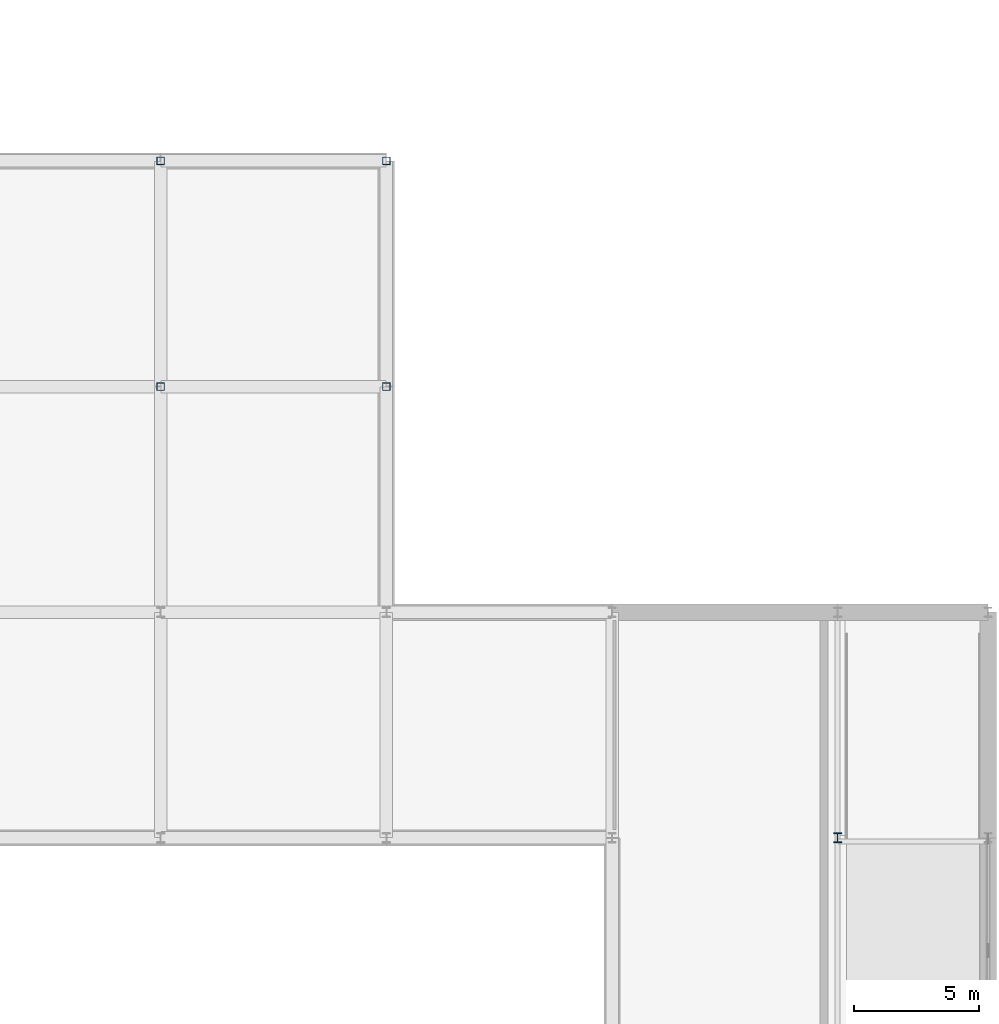
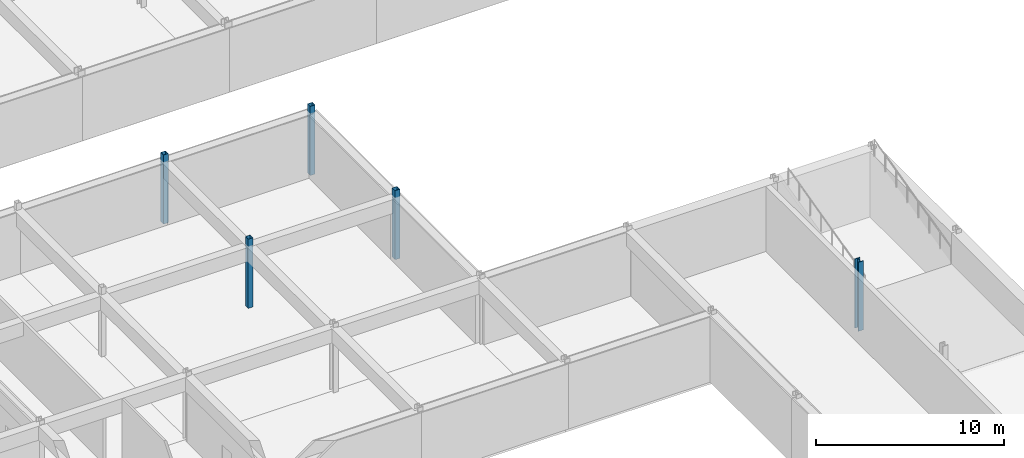
# One storey, part 12 of 35: 5 columns.
"""IFC4 building model written with IfcOpenShell, lengths in metres."""

from ifc_helpers import new_model, si_unit, direction, frame, origin, origin_2d, place, context, subcontext, project, spatial, hollow_rectangle, i_section, extrude, material, material_profile, profile_set, type_object, element, save


model = new_model("IFC4")

# Units and contexts
model_context = context("Model", 3, precision=1e-05, world=origin(), true_north=direction((0.0, 1.0)))
body_context = subcontext(model_context, "Body", "Model", "MODEL_VIEW")
ifc_project = project(units=[si_unit("LENGTHUNIT", "METRE"), si_unit("AREAUNIT", "SQUARE_METRE"), si_unit("VOLUMEUNIT", "CUBIC_METRE"), si_unit("PLANEANGLEUNIT", "RADIAN"), si_unit("MASSUNIT", "GRAM", prefix="KILO")], contexts=[model_context])

# Site, building, storey
site_placement = place(None, origin())
site = spatial("IfcSite", under=ifc_project, at=site_placement, CompositionType="ELEMENT")
building_placement = place(site_placement, origin())
building = spatial("IfcBuilding", under=site, at=building_placement, Name="Palais des Congres Ocreval", CompositionType="ELEMENT")
storey_placement = place(building_placement, frame((0.0, 0.0, -4.47998046875)))
storey = spatial("IfcBuildingStorey", under=building, at=storey_placement, Name="B1", CompositionType="ELEMENT", Elevation=-4.47998046875)

# Columns
ifc_material = material(Name="Steel S355", Category="steel")
ifc_material_profile_1 = material_profile(ifc_material, i_section(OverallWidth=0.30810546875, OverallDepth=0.39501953125, WebThickness=0.02099609375, FlangeThickness=0.0400390625, at=origin_2d()), Name="HEM 360")
ifc_profile_set_1 = profile_set([ifc_material_profile_1], Name="Steel S355")
column_type_1 = type_object("IfcColumnType", Name="Column HEM 360 Steel S355", PredefinedType="COLUMN", material=ifc_profile_set_1)
column_placement = place(storey_placement, frame((162.0, 36.0, 0.0), z_axis=(0.0, 0.0, 1.0), x_axis=(1.0, 0.0, 0.0)))
element("IfcColumn", 1, at=column_placement, inside=storey, type_object=column_type_1, Name="Column C07 B1", PredefinedType="COLUMN", context=body_context, shape_type="SweptSolid", body=[
    extrude(i_section(OverallWidth=0.30810546875, OverallDepth=0.39501953125, WebThickness=0.02099609375, FlangeThickness=0.0400390625, at=origin_2d()), origin(), (0.0, 0.0, 1.0), 4.47998046875),
])
ifc_material_profile_2 = material_profile(ifc_material, hollow_rectangle(XDim=0.300048828125, YDim=0.300048828125, WallThickness=0.012451171875, at=origin_2d()), Name="RHS 300x300x12.5")
ifc_profile_set_2 = profile_set([ifc_material_profile_2], Name="Steel S355")
column_type_2 = type_object("IfcColumnType", Name="Column RHS 300x300x12.5 Steel S355", PredefinedType="COLUMN", material=ifc_profile_set_2)
for number, where, z_axis, x_axis, name in (
    (2, (135.0, 54.0, 0.0), (0.0, 0.0, 1.0), (1.0, 0.0, 0.0), "Column C19 B1"),
    (3, (135.0, 63.0, 0.0), (0.0, 0.0, 1.0), (1.0, 0.0, 0.0), "Column C19 B1"),
    (4, (144.0, 54.0, 0.0), (0.0, 0.0, 1.0), (1.0, 0.0, 0.0), "Column C19 B1"),
    (5, (144.0, 63.0, 0.0), (0.0, 0.0, 1.0), (1.0, 0.0, 0.0), "Column C19 B1"),
):
    element("IfcColumn", number, at=place(storey_placement, frame(where, z_axis=z_axis, x_axis=x_axis)), inside=storey, type_object=column_type_2, Name=name, PredefinedType="COLUMN", context=body_context, shape_type="SweptSolid", body=[
        extrude(hollow_rectangle(XDim=0.300048828125, YDim=0.300048828125, WallThickness=0.012451171875, at=origin_2d()), origin(), (0.0, 0.0, 1.0), 4.47998046875),
    ])

save(model, "model.ifc")
